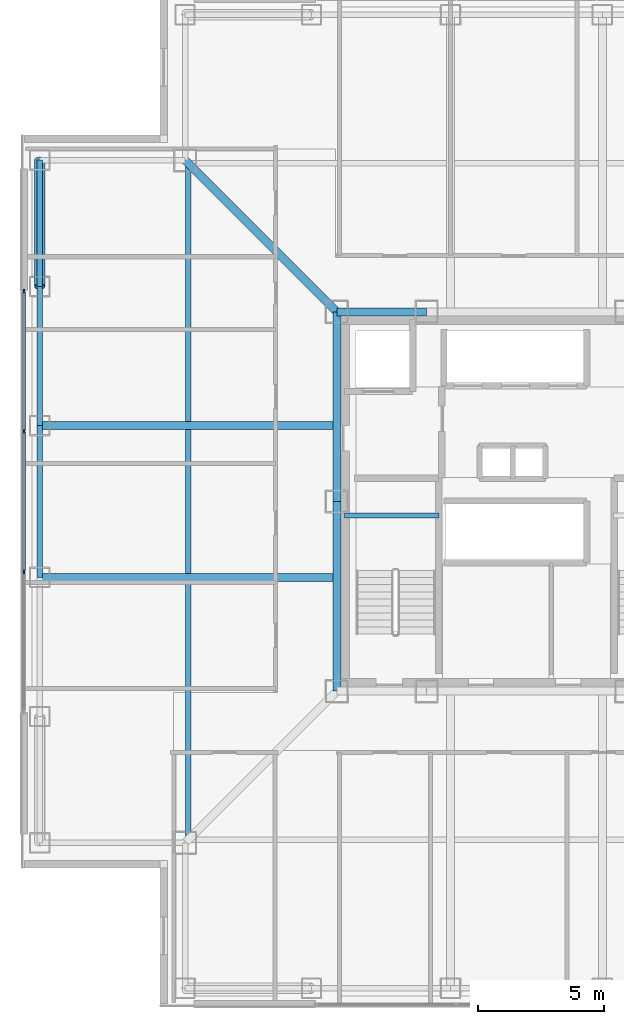
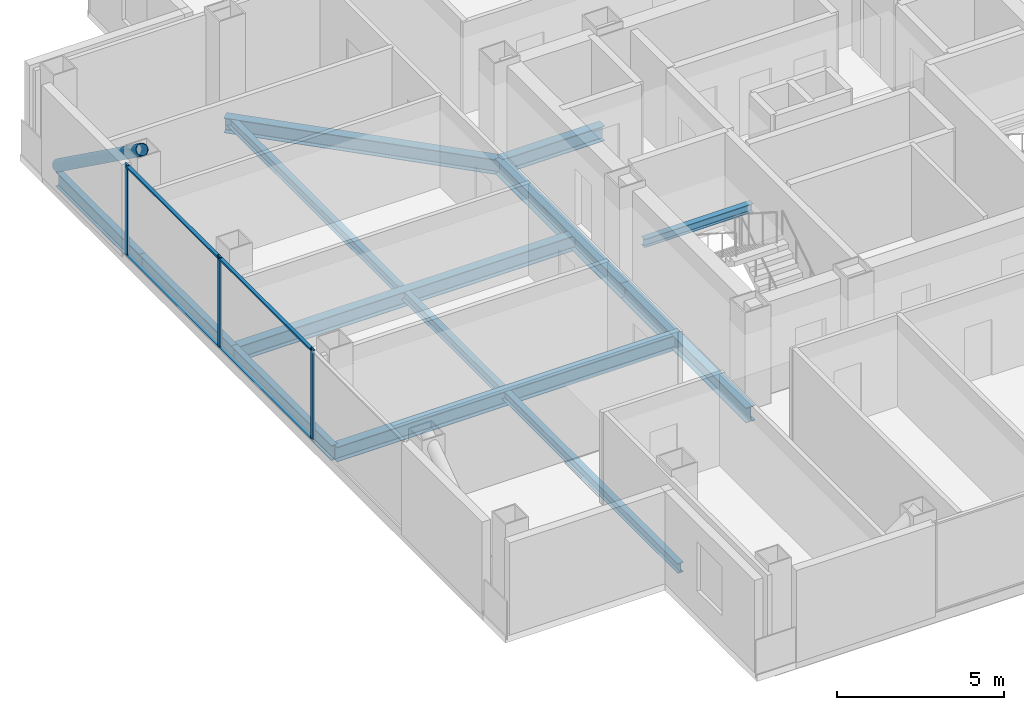
# One storey, part 4 of 17: 11 beams, 8 members, 1 element without a shape of its own.
"""IFC4 building model written with IfcOpenShell, lengths in metres."""

from ifc_helpers import new_model, si_unit, direction, frame, origin, origin_2d, place, context, subcontext, project, spatial, rectangle, hollow_circle, i_section, extrude, material, layer, layer_set, material_profile, profile_set, type_object, element, aggregate, save


model = new_model("IFC4")

# Units and contexts
model_context = context("Model", 3, precision=1e-05, world=origin(), true_north=direction((0.0, 1.0)))
body_context = subcontext(model_context, "Body", "Model", "MODEL_VIEW")
ifc_project = project(units=[si_unit("LENGTHUNIT", "METRE"), si_unit("AREAUNIT", "SQUARE_METRE"), si_unit("VOLUMEUNIT", "CUBIC_METRE"), si_unit("PLANEANGLEUNIT", "RADIAN"), si_unit("MASSUNIT", "GRAM", prefix="KILO")], contexts=[model_context])

# Site, building, storey
site_placement = place(None, origin())
site = spatial("IfcSite", under=ifc_project, at=site_placement, CompositionType="ELEMENT")
building_placement = place(site_placement, origin())
building = spatial("IfcBuilding", under=site, at=building_placement, Name="Trevonay Congress Spire", CompositionType="ELEMENT")
storey_placement = place(building_placement, frame((0.0, 0.0, 169.800048828125)))
storey = spatial("IfcBuildingStorey", under=building, at=storey_placement, Name="L43", CompositionType="ELEMENT", Elevation=169.800048828125)

# Beams
ifc_material_1 = material(Name="Steel ASTM A572 Grade 50", Category="steel")
ifc_material_profile_1 = material_profile(ifc_material_1, i_section(OverallWidth=0.31201171875, OverallDepth=0.54296875, WebThickness=0.0126953125, FlangeThickness=0.020263671875, FilletRadius=0.014892578125, at=origin_2d()), Name="W530x150")
ifc_profile_set_1 = profile_set([ifc_material_profile_1], Name="Steel ASTM A572 Grade 50")
beam_type_1 = type_object("IfcBeamType", Name="BM-GIRD-W530X150", PredefinedType="BEAM", material=ifc_profile_set_1)
beam_1_placement = place(storey_placement, frame((-7.5, 7.5, -0.511474609375), z_axis=(1.0, 0.0, 0.0), x_axis=(0.0, 1.0, 0.0)))
element("IfcBeam", 1, at=beam_1_placement, inside=storey, type_object=beam_type_1, Name="L43 structural beam BM-L43-CR-N1", PredefinedType="BEAM", context=body_context, shape_type="SweptSolid", body=[
    extrude(i_section(OverallWidth=0.31201171875, OverallDepth=0.54296875, WebThickness=0.0126953125, FlangeThickness=0.020263671875, FilletRadius=0.014892578125, at=origin_2d()), origin(), (0.0, 0.0, 1.0), 3.550048828125),
])
for number, where, z_axis, x_axis, name in (
    (2, (-7.5, -7.5, -0.511474609375), (0.0, 1.0, 0.0), (-1.0, 0.0, 0.0), "L43 structural beam BM-L43-CR-W1"),
    (3, (-7.5, 0.0, -0.511474609375), (0.0, 1.0, 0.0), (-1.0, 0.0, 0.0), "L43 structural beam BM-L43-CR-W2"),
):
    element("IfcBeam", number, at=place(storey_placement, frame(where, z_axis=z_axis, x_axis=x_axis)), inside=storey, type_object=beam_type_1, Name=name, PredefinedType="BEAM", context=body_context, shape_type="SweptSolid", body=[
        extrude(i_section(OverallWidth=0.31201171875, OverallDepth=0.54296875, WebThickness=0.0126953125, FlangeThickness=0.020263671875, FilletRadius=0.014892578125, at=origin_2d()), origin(), (0.0, 0.0, 1.0), 7.5),
    ])
beam_2_placement = place(storey_placement, frame((-7.5, 7.5, -0.511474609375), z_axis=(-0.707106781187, 0.707106781187, 0.0), x_axis=(-0.707106781187, -0.707106781187, 0.0)))
element("IfcBeam", 4, at=beam_2_placement, inside=storey, type_object=beam_type_1, Name="L43 structural beam BM-L43-CDNW", PredefinedType="BEAM", context=body_context, shape_type="SweptSolid", body=[
    extrude(i_section(OverallWidth=0.31201171875, OverallDepth=0.54296875, WebThickness=0.0126953125, FlangeThickness=0.020263671875, FilletRadius=0.014892578125, at=origin_2d()), origin(), (0.0, 0.0, 1.0), 8.4853515625),
])
for number, where, z_axis, x_axis, name in (
    (5, (-7.5, -3.0, -0.511474609375), (-1.0, 0.0, 0.0), (0.0, -1.0, 0.0), "L43 structural beam BM-L43-GW-M"),
    (6, (-7.5, 3.0, -0.511474609375), (-1.0, 0.0, 0.0), (0.0, -1.0, 0.0), "L43 structural beam BM-L43-GW-P"),
):
    element("IfcBeam", number, at=place(storey_placement, frame(where, z_axis=z_axis, x_axis=x_axis)), inside=storey, type_object=beam_type_1, Name=name, PredefinedType="BEAM", context=body_context, shape_type="SweptSolid", body=[
        extrude(i_section(OverallWidth=0.31201171875, OverallDepth=0.54296875, WebThickness=0.0126953125, FlangeThickness=0.020263671875, FilletRadius=0.014892578125, at=origin_2d()), origin(), (0.0, 0.0, 1.0), 11.75),
    ])
ifc_material_profile_2 = material_profile(ifc_material_1, i_section(OverallWidth=0.2119140625, OverallDepth=0.5439453125, WebThickness=0.01318359375, FlangeThickness=0.021240234375, FilletRadius=0.014892578125, at=origin_2d()), Name="W530x123")
ifc_profile_set_2 = profile_set([ifc_material_profile_2], Name="Steel ASTM A572 Grade 50")
beam_type_2 = type_object("IfcBeamType", Name="BM-RING-W530X123", PredefinedType="BEAM", material=ifc_profile_set_2)
beam_3_placement = place(storey_placement, frame((-19.25, -3.0, -0.511962890625), z_axis=(0.0, 1.0, 0.0), x_axis=(-1.0, 0.0, 0.0)))
element("IfcBeam", 7, at=beam_3_placement, inside=storey, type_object=beam_type_2, Name="L43 structural beam BM-L43-PW3", PredefinedType="BEAM", context=body_context, shape_type="SweptSolid", body=[
    extrude(i_section(OverallWidth=0.2119140625, OverallDepth=0.5439453125, WebThickness=0.01318359375, FlangeThickness=0.021240234375, FilletRadius=0.014892578125, at=origin_2d()), origin(), (0.0, 0.0, 1.0), 6.0),
])
beam_4_placement = place(storey_placement, frame((-19.25, 3.0, -0.511962890625), z_axis=(0.0, 1.0, 0.0), x_axis=(-1.0, 0.0, 0.0)))
element("IfcBeam", 8, at=beam_4_placement, inside=storey, type_object=beam_type_2, Name="L43 structural beam BM-L43-PW4", PredefinedType="BEAM", context=body_context, shape_type="SweptSolid", body=[
    extrude(i_section(OverallWidth=0.2119140625, OverallDepth=0.5439453125, WebThickness=0.01318359375, FlangeThickness=0.021240234375, FilletRadius=0.014892578125, at=origin_2d()), origin(), (0.0, 0.0, 1.0), 5.5),
])
beam_5_placement = place(storey_placement, frame((-19.25, 8.5, -0.511962890625), z_axis=(0.0, 1.0, 0.0), x_axis=(-1.0, 0.0, 0.0)))
element("IfcBeam", 9, at=beam_5_placement, inside=storey, type_object=beam_type_2, Name="L43 structural beam BM-L43-PW5", PredefinedType="BEAM", context=body_context, shape_type="SweptSolid", body=[
    extrude(i_section(OverallWidth=0.2119140625, OverallDepth=0.5439453125, WebThickness=0.01318359375, FlangeThickness=0.021240234375, FilletRadius=0.014892578125, at=origin_2d()), origin(), (0.0, 0.0, 1.0), 5.0),
])

# Curtain wall, members
ifc_material_2 = material(Name="Pale Anodised Aluminium EN AW-6063-T6", Category="aluminium")
ifc_layer = layer(ifc_material_2, 0.169921875, Name="Pale Anodised Aluminium EN AW-6063-T6")
ifc_layer_set = layer_set([ifc_layer], Name="Pale Anodised Aluminium EN AW-6063-T6")
curtain_wall_type = type_object("IfcCurtainWallType", Name="CW-SYS04-CORP-PALE-METAL", PredefinedType="NOTDEFINED", material=ifc_layer_set)
curtain_wall_placement = place(storey_placement, origin())
curtain_wall = element("IfcCurtainWall", 10, at=curtain_wall_placement, inside=storey, type_object=curtain_wall_type, Name="L43 W unitised curtain wall", PredefinedType="NOTDEFINED")
ifc_material_profile_3 = material_profile(ifc_material_2, rectangle(XDim=0.06005859375, YDim=0.159912109375, at=origin_2d()), Name="CW-MULLION-160-ALUMINIUM")
ifc_profile_set_3 = profile_set([ifc_material_profile_3], Name="Pale Anodised Aluminium EN AW-6063-T6")
member_type_1 = type_object("IfcMemberType", Name="CW-MULLION-160-ALUMINIUM", PredefinedType="MULLION", material=ifc_profile_set_3)
member_1_placement = place(storey_placement, frame((-19.8798828125, -2.783447265625, 0.0), z_axis=(0.0, 0.0, 1.0), x_axis=(-1.0, 0.0, 0.0)))
member_1 = element("IfcMember", 11, at=member_1_placement, type_object=member_type_1, Name="CW04 mullion 2", PredefinedType="MULLION", context=body_context, shape_type="SweptSolid", body=[
    extrude(rectangle(XDim=0.06005859375, YDim=0.159912109375, at=origin_2d()), origin(), (0.0, 0.0, 1.0), 3.35986328125),
])
member_2_placement = place(storey_placement, frame((-19.8798828125, 2.783447265625, 0.0), z_axis=(0.0, 0.0, 1.0), x_axis=(-1.0, 0.0, 0.0)))
member_2 = element("IfcMember", 12, at=member_2_placement, type_object=member_type_1, Name="CW04 mullion 3", PredefinedType="MULLION", context=body_context, shape_type="SweptSolid", body=[
    extrude(rectangle(XDim=0.06005859375, YDim=0.159912109375, at=origin_2d()), origin(), (0.0, 0.0, 1.0), 3.35986328125),
])
member_3_placement = place(storey_placement, frame((-19.8798828125, 8.320068359375, 0.0), z_axis=(0.0, 0.0, 1.0), x_axis=(-1.0, 0.0, 0.0)))
member_3 = element("IfcMember", 13, at=member_3_placement, type_object=member_type_1, Name="CW04 mullion 4", PredefinedType="MULLION", context=body_context, shape_type="SweptSolid", body=[
    extrude(rectangle(XDim=0.06005859375, YDim=0.159912109375, at=origin_2d()), origin(), (0.0, 0.0, 1.0), 3.35986328125),
])
ifc_material_profile_4 = material_profile(ifc_material_2, rectangle(XDim=0.1201171875, YDim=0.06005859375, at=origin_2d()), Name="CW-TRANSOM-120-ALUMINIUM")
ifc_profile_set_4 = profile_set([ifc_material_profile_4], Name="Pale Anodised Aluminium EN AW-6063-T6")
member_type_2 = type_object("IfcMemberType", Name="CW-TRANSOM-120-ALUMINIUM", PredefinedType="USERDEFINED", material=ifc_profile_set_4)
member_4_placement = place(storey_placement, frame((-19.8798828125, -2.75341796875, 0.06005859375), z_axis=(0.0, 1.0, 0.0), x_axis=(-1.0, 0.0, 0.0)))
member_4 = element("IfcMember", 14, at=member_4_placement, type_object=member_type_2, Name="CW04 transom 2.1", ObjectType="TRANSOM", PredefinedType="USERDEFINED", context=body_context, shape_type="SweptSolid", body=[
    extrude(rectangle(XDim=0.1201171875, YDim=0.06005859375, at=origin_2d()), origin(), (0.0, 0.0, 1.0), 5.5068359375),
])
member_5_placement = place(storey_placement, frame((-19.8798828125, -2.75341796875, 3.300048828125), z_axis=(0.0, 1.0, 0.0), x_axis=(-1.0, 0.0, 0.0)))
member_5 = element("IfcMember", 15, at=member_5_placement, type_object=member_type_2, Name="CW04 transom 2.2", ObjectType="TRANSOM", PredefinedType="USERDEFINED", context=body_context, shape_type="SweptSolid", body=[
    extrude(rectangle(XDim=0.1201171875, YDim=0.06005859375, at=origin_2d()), origin(), (0.0, 0.0, 1.0), 5.5068359375),
])
member_6_placement = place(storey_placement, frame((-19.8798828125, 2.813232421875, 0.06005859375), z_axis=(0.0, 1.0, 0.0), x_axis=(-1.0, 0.0, 0.0)))
member_6 = element("IfcMember", 16, at=member_6_placement, type_object=member_type_2, Name="CW04 transom 3.1", ObjectType="TRANSOM", PredefinedType="USERDEFINED", context=body_context, shape_type="SweptSolid", body=[
    extrude(rectangle(XDim=0.1201171875, YDim=0.06005859375, at=origin_2d()), origin(), (0.0, 0.0, 1.0), 5.476806640625),
])
member_7_placement = place(storey_placement, frame((-19.8798828125, 2.813232421875, 3.300048828125), z_axis=(0.0, 1.0, 0.0), x_axis=(-1.0, 0.0, 0.0)))
member_7 = element("IfcMember", 17, at=member_7_placement, type_object=member_type_2, Name="CW04 transom 3.2", ObjectType="TRANSOM", PredefinedType="USERDEFINED", context=body_context, shape_type="SweptSolid", body=[
    extrude(rectangle(XDim=0.1201171875, YDim=0.06005859375, at=origin_2d()), origin(), (0.0, 0.0, 1.0), 5.476806640625),
])
aggregate(curtain_wall, [member_1, member_2, member_3, member_4, member_5, member_6, member_7])

# Beams
ifc_material_profile_5 = material_profile(ifc_material_1, i_section(OverallWidth=0.205078125, OverallDepth=0.35400390625, WebThickness=0.009521484375, FlangeThickness=0.016845703125, FilletRadius=0.011962890625, at=origin_2d()), Name="W360x79")
ifc_profile_set_5 = profile_set([ifc_material_profile_5], Name="Steel ASTM A572 Grade 50")
beam_type_3 = type_object("IfcBeamType", Name="JS-COMP-W360X79", PredefinedType="JOIST", material=ifc_profile_set_5)
beam_6_placement = place(storey_placement, frame((-13.375, -13.5, -0.4169921875), z_axis=(0.0, 1.0, 0.0), x_axis=(-1.0, 0.0, 0.0)))
element("IfcBeam", 18, at=beam_6_placement, inside=storey, type_object=beam_type_3, Name="L43 structural beam JS-L43-RING-W", PredefinedType="JOIST", context=body_context, shape_type="SweptSolid", body=[
    extrude(i_section(OverallWidth=0.205078125, OverallDepth=0.35400390625, WebThickness=0.009521484375, FlangeThickness=0.016845703125, FilletRadius=0.011962890625, at=origin_2d()), origin(), (0.0, 0.0, 1.0), 27.0),
])
ifc_material_profile_6 = material_profile(ifc_material_1, i_section(OverallWidth=0.2041015625, OverallDepth=0.305908203125, WebThickness=0.008544921875, FlangeThickness=0.0146484375, FilletRadius=0.010986328125, at=origin_2d()), Name="W310x67")
ifc_profile_set_6 = profile_set([ifc_material_profile_6], Name="Steel ASTM A572 Grade 50")
beam_type_4 = type_object("IfcBeamType", Name="LN-CORE-W310X67", PredefinedType="LINTEL", material=ifc_profile_set_6)
beam_7_placement = place(storey_placement, frame((-7.199951171875, -0.550048828125, 1.447021484375), z_axis=(1.0, 0.0, 0.0), x_axis=(0.0, 1.0, 0.0)))
element("IfcBeam", 19, at=beam_7_placement, inside=storey, type_object=beam_type_4, Name="L43 structural beam BM-L43-HL-ST1", PredefinedType="LINTEL", context=body_context, shape_type="SweptSolid", body=[
    extrude(i_section(OverallWidth=0.2041015625, OverallDepth=0.305908203125, WebThickness=0.008544921875, FlangeThickness=0.0146484375, FilletRadius=0.010986328125, at=origin_2d()), origin(), (0.0, 0.0, 1.0), 3.75),
])

# Member
ifc_material_3 = material(Name="Steel ASTM A500 Grade C", Category="steel")
ifc_material_profile_7 = material_profile(ifc_material_3, hollow_circle(Radius=0.203125, WallThickness=0.02001953125, at=origin_2d()), Name="CHS 406.4x20")
ifc_profile_set_7 = profile_set([ifc_material_profile_7], Name="Steel ASTM A500 Grade C")
member_type_3 = type_object("IfcMemberType", Name="MBR-TUBE-CHS406", PredefinedType="BRACE", material=ifc_profile_set_7)
member_8_placement = place(storey_placement, frame((-19.25, 13.5, -0.050048828125), z_axis=(0.0, -0.811526825515, 0.584315164504), x_axis=(1.0, 0.0, 0.0)))
element("IfcMember", 20, at=member_8_placement, inside=storey, type_object=member_type_3, Name="L43 perimeter braced-tube diagonal W4", PredefinedType="BRACE", context=body_context, shape_type="SweptSolid", body=[
    extrude(hollow_circle(Radius=0.203125, WallThickness=0.02001953125, at=origin_2d()), origin(), (0.0, 0.0, 1.0), 6.1611328125),
])

save(model, "model.ifc")
